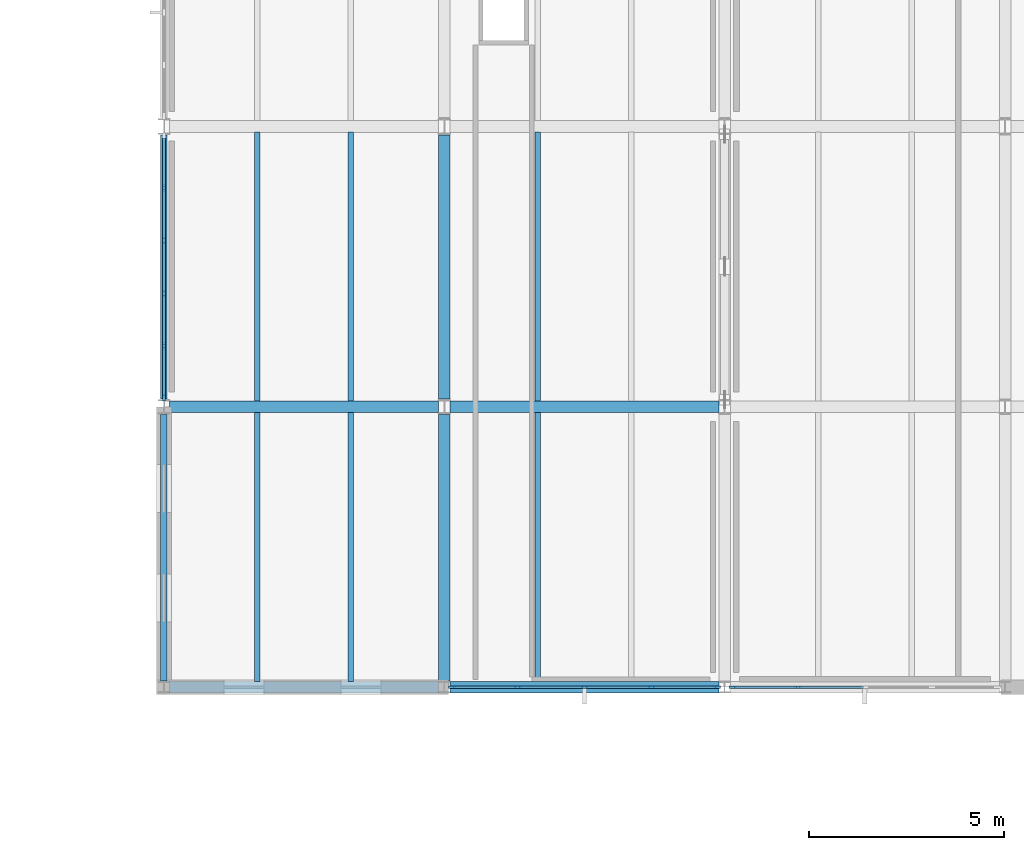
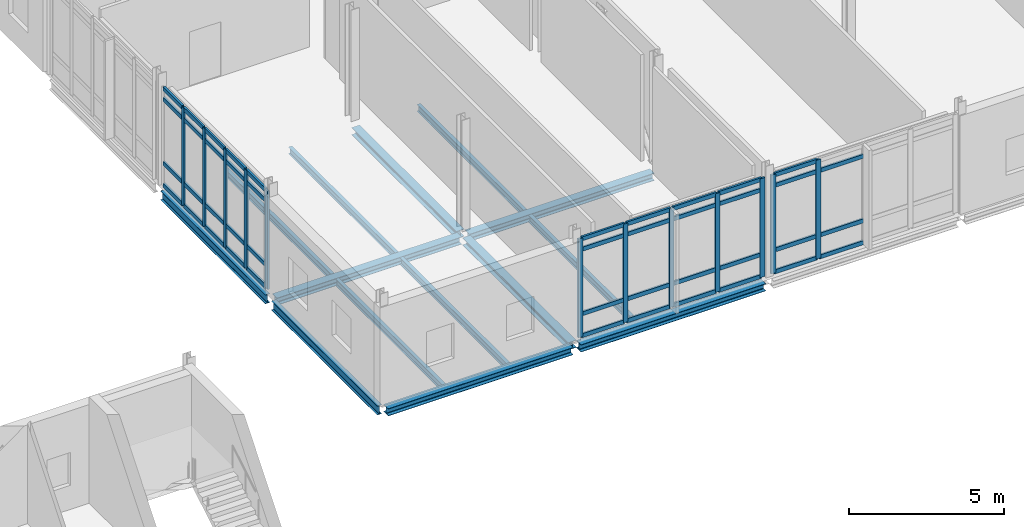
# One storey, part 28 of 72: 55 members, 14 beams, 3 elements without a shape of their own.
"""IFC4 building model written with IfcOpenShell, lengths in metres."""

from ifc_helpers import new_model, si_unit, direction, frame, origin, origin_2d, place, context, subcontext, project, spatial, rectangle, i_section, extrude, material, layer, layer_set, material_profile, profile_set, type_object, element, aggregate, save


model = new_model("IFC4")

# Units and contexts
model_context = context("Model", 3, precision=1e-05, world=origin(), true_north=direction((0.0, 1.0)))
body_context = subcontext(model_context, "Body", "Model", "MODEL_VIEW")
ifc_project = project(units=[si_unit("LENGTHUNIT", "METRE"), si_unit("AREAUNIT", "SQUARE_METRE"), si_unit("VOLUMEUNIT", "CUBIC_METRE"), si_unit("PLANEANGLEUNIT", "RADIAN"), si_unit("MASSUNIT", "GRAM", prefix="KILO")], contexts=[model_context])

# Site, building, storey
site_placement = place(None, origin())
site = spatial("IfcSite", under=ifc_project, at=site_placement, CompositionType="ELEMENT")
building_placement = place(site_placement, origin())
building = spatial("IfcBuilding", under=site, at=building_placement, Name="Zarrinpeak Specialist Clinic", CompositionType="ELEMENT")
storey_placement = place(building_placement, frame((0.0, 0.0, 9.60009765625)))
storey = spatial("IfcBuildingStorey", under=building, at=storey_placement, Name="L02", CompositionType="ELEMENT", Elevation=9.60009765625)

# Beams
ifc_material_1 = material(Name="Steel S355", Category="steel")
ifc_material_profile_1 = material_profile(ifc_material_1, i_section(OverallWidth=0.300048828125, OverallDepth=0.2900390625, WebThickness=0.008544921875, FlangeThickness=0.013916015625, FilletRadius=0.027099609375, at=origin_2d()), Name="HEA 300")
ifc_profile_set_1 = profile_set([ifc_material_profile_1], Name="Steel S355")
beam_type_1 = type_object("IfcBeamType", Name="BM-HEA300", PredefinedType="BEAM", material=ifc_profile_set_1)
for number, where, z_axis, x_axis, name in (
    (1, (36.14794921875, 82.0, -0.360107421875), (1.0, 0.0, 0.0), (0.0, 1.0, 0.0), "L02 Primary Floor Girder BM-L02-X1201"),
    (2, (43.347900390625, 82.0, -0.360107421875), (1.0, 0.0, 0.0), (0.0, 1.0, 0.0), "L02 Primary Floor Girder BM-L02-X1202"),
    (3, (36.14794921875, 89.199951171875, -0.360107421875), (1.0, 0.0, 0.0), (0.0, 1.0, 0.0), "L02 Primary Floor Girder BM-L02-X1205"),
    (4, (43.347900390625, 89.199951171875, -0.360107421875), (1.0, 0.0, 0.0), (0.0, 1.0, 0.0), "L02 Primary Floor Girder BM-L02-X1206"),
):
    element("IfcBeam", number, at=place(storey_placement, frame(where, z_axis=z_axis, x_axis=x_axis)), inside=storey, type_object=beam_type_1, Name=name, PredefinedType="BEAM", context=body_context, shape_type="SweptSolid", body=[
        extrude(i_section(OverallWidth=0.300048828125, OverallDepth=0.2900390625, WebThickness=0.008544921875, FlangeThickness=0.013916015625, FilletRadius=0.027099609375, at=origin_2d()), origin(), (0.0, 0.0, 1.0), 6.904052734375),
    ])
beam_1_placement = place(storey_placement, frame((43.199951171875, 82.157958984375, -0.360107421875), z_axis=(0.0, 1.0, 0.0), x_axis=(-1.0, 0.0, 0.0)))
element("IfcBeam", 5, at=beam_1_placement, inside=storey, type_object=beam_type_1, Name="L02 Primary Beam BM-L02-Y1285", PredefinedType="BEAM", context=body_context, shape_type="SweptSolid", body=[
    extrude(i_section(OverallWidth=0.300048828125, OverallDepth=0.2900390625, WebThickness=0.008544921875, FlangeThickness=0.013916015625, FilletRadius=0.027099609375, at=origin_2d()), origin(), (0.0, 0.0, 1.0), 6.843994140625),
])
beam_2_placement = place(storey_placement, frame((43.199951171875, 89.39794921875, -0.360107421875), z_axis=(0.0, 1.0, 0.0), x_axis=(-1.0, 0.0, 0.0)))
element("IfcBeam", 6, at=beam_2_placement, inside=storey, type_object=beam_type_1, Name="L02 Primary Beam BM-L02-Y1286", PredefinedType="BEAM", context=body_context, shape_type="SweptSolid", body=[
    extrude(i_section(OverallWidth=0.300048828125, OverallDepth=0.2900390625, WebThickness=0.008544921875, FlangeThickness=0.013916015625, FilletRadius=0.027099609375, at=origin_2d()), origin(), (0.0, 0.0, 1.0), 6.779052734375),
])
ifc_material_profile_2 = material_profile(ifc_material_1, i_section(OverallWidth=0.135009765625, OverallDepth=0.27001953125, WebThickness=0.006591796875, FlangeThickness=0.01025390625, FilletRadius=0.014892578125, at=origin_2d()), Name="IPE 270")
ifc_profile_set_2 = profile_set([ifc_material_profile_2], Name="Steel S355")
beam_type_2 = type_object("IfcBeamType", Name="BM-JST270", PredefinedType="JOIST", material=ifc_profile_set_2)
for number, where, z_axis, x_axis, name in (
    (7, (38.39990234375, 82.14794921875, -0.35009765625), (0.0, 1.0, 0.0), (-1.0, 0.0, 0.0), "L02 Composite Floor Joist JST-L02-1454"),
    (8, (40.800048828125, 82.14794921875, -0.35009765625), (0.0, 1.0, 0.0), (-1.0, 0.0, 0.0), "L02 Composite Floor Joist JST-L02-1455"),
    (9, (38.39990234375, 89.347900390625, -0.35009765625), (0.0, 1.0, 0.0), (-1.0, 0.0, 0.0), "L02 Composite Floor Joist JST-L02-1456"),
    (10, (40.800048828125, 89.347900390625, -0.35009765625), (0.0, 1.0, 0.0), (-1.0, 0.0, 0.0), "L02 Composite Floor Joist JST-L02-1457"),
    (11, (45.60009765625, 82.14794921875, -0.35009765625), (0.0, 1.0, 0.0), (-1.0, 0.0, 0.0), "L02 Composite Floor Joist JST-L02-1460"),
    (12, (45.60009765625, 89.347900390625, -0.35009765625), (0.0, 1.0, 0.0), (-1.0, 0.0, 0.0), "L02 Composite Floor Joist JST-L02-1462"),
):
    element("IfcBeam", number, at=place(storey_placement, frame(where, z_axis=z_axis, x_axis=x_axis)), inside=storey, type_object=beam_type_2, Name=name, PredefinedType="JOIST", context=body_context, shape_type="SweptSolid", body=[
        extrude(i_section(OverallWidth=0.135009765625, OverallDepth=0.27001953125, WebThickness=0.006591796875, FlangeThickness=0.01025390625, FilletRadius=0.014892578125, at=origin_2d()), origin(), (0.0, 0.0, 1.0), 6.904052734375),
    ])
ifc_material_profile_3 = material_profile(ifc_material_1, i_section(OverallWidth=0.169921875, OverallDepth=0.360107421875, WebThickness=0.008056640625, FlangeThickness=0.0126953125, FilletRadius=0.01806640625, at=origin_2d()), Name="IPE 360")
ifc_profile_set_3 = profile_set([ifc_material_profile_3], Name="Steel S355")
beam_type_3 = type_object("IfcBeamType", Name="BM-SP360", PredefinedType="SPANDREL", material=ifc_profile_set_3)
beam_3_placement = place(storey_placement, frame((36.0, 82.157958984375, -0.39501953125), z_axis=(0.0, 1.0, 0.0), x_axis=(-1.0, 0.0, 0.0)))
element("IfcBeam", 13, at=beam_3_placement, inside=storey, type_object=beam_type_3, Name="L02 Perimeter Spandrel Beam BM-L02-Y1279", PredefinedType="SPANDREL", context=body_context, shape_type="SweptSolid", body=[
    extrude(i_section(OverallWidth=0.169921875, OverallDepth=0.360107421875, WebThickness=0.008056640625, FlangeThickness=0.0126953125, FilletRadius=0.01806640625, at=origin_2d()), origin(), (0.0, 0.0, 1.0), 6.843994140625),
])
beam_4_placement = place(storey_placement, frame((36.0, 89.39794921875, -0.39501953125), z_axis=(0.0, 1.0, 0.0), x_axis=(-1.0, 0.0, 0.0)))
element("IfcBeam", 14, at=beam_4_placement, inside=storey, type_object=beam_type_3, Name="L02 Perimeter Spandrel Beam BM-L02-Y1280", PredefinedType="SPANDREL", context=body_context, shape_type="SweptSolid", body=[
    extrude(i_section(OverallWidth=0.169921875, OverallDepth=0.360107421875, WebThickness=0.008056640625, FlangeThickness=0.0126953125, FilletRadius=0.01806640625, at=origin_2d()), origin(), (0.0, 0.0, 1.0), 6.779052734375),
])

# Curtain wall, members
ifc_material_2 = material(Name="Anodised Aluminium Alloy 6063-T6", Category="aluminium")
ifc_layer_1 = layer(ifc_material_2, 0.179931640625)
ifc_layer_set_1 = layer_set([ifc_layer_1], Name="Anodised Aluminium Alloy 6063-T6")
curtain_wall_type_1 = type_object("IfcCurtainWallType", Name="CW-COURT", PredefinedType="NOTDEFINED", material=ifc_layer_set_1)
curtain_wall_1_placement = place(storey_placement, origin())
curtain_wall_1 = element("IfcCurtainWall", 15, at=curtain_wall_1_placement, inside=storey, type_object=curtain_wall_type_1, Name="L02 V6 Unitised Curtain Wall CW-L02-V6-141", PredefinedType="NOTDEFINED")
ifc_material_profile_4 = material_profile(ifc_material_2, rectangle(XDim=0.074951171875, YDim=0.179931640625, at=origin_2d()), Name="ALU 75x180")
ifc_profile_set_4 = profile_set([ifc_material_profile_4], Name="Anodised Aluminium Alloy 6063-T6")
member_type_1 = type_object("IfcMemberType", Name="CWM-75", PredefinedType="MULLION", material=ifc_profile_set_4)
member_1_placement = place(storey_placement, frame((43.402587890625, 82.0, 0.0), z_axis=(0.0, 0.0, 1.0), x_axis=(0.0, 1.0, 0.0)))
member_1 = element("IfcMember", 16, at=member_1_placement, type_object=member_type_1, Name="CW-01 mullion 1", PredefinedType="MULLION", context=body_context, shape_type="SweptSolid", body=[
    extrude(rectangle(XDim=0.074951171875, YDim=0.179931640625, at=origin_2d()), origin(), (0.0, 0.0, 1.0), 3.89990234375),
])
member_2_placement = place(storey_placement, frame((45.08251953125, 82.0, 0.0), z_axis=(0.0, 0.0, 1.0), x_axis=(0.0, 1.0, 0.0)))
member_2 = element("IfcMember", 17, at=member_2_placement, type_object=member_type_1, Name="CW-01 mullion 2", PredefinedType="MULLION", context=body_context, shape_type="SweptSolid", body=[
    extrude(rectangle(XDim=0.074951171875, YDim=0.179931640625, at=origin_2d()), origin(), (0.0, 0.0, 1.0), 3.89990234375),
])
member_3_placement = place(storey_placement, frame((46.800048828125, 82.0, 0.0), z_axis=(0.0, 0.0, 1.0), x_axis=(0.0, 1.0, 0.0)))
member_3 = element("IfcMember", 18, at=member_3_placement, type_object=member_type_1, Name="CW-01 mullion 3", PredefinedType="MULLION", context=body_context, shape_type="SweptSolid", body=[
    extrude(rectangle(XDim=0.074951171875, YDim=0.179931640625, at=origin_2d()), origin(), (0.0, 0.0, 1.0), 3.89990234375),
])
member_4_placement = place(storey_placement, frame((48.517578125, 82.0, 0.0), z_axis=(0.0, 0.0, 1.0), x_axis=(0.0, 1.0, 0.0)))
member_4 = element("IfcMember", 19, at=member_4_placement, type_object=member_type_1, Name="CW-01 mullion 4", PredefinedType="MULLION", context=body_context, shape_type="SweptSolid", body=[
    extrude(rectangle(XDim=0.074951171875, YDim=0.179931640625, at=origin_2d()), origin(), (0.0, 0.0, 1.0), 3.89990234375),
])
member_5_placement = place(storey_placement, frame((50.197509765625, 82.0, 0.0), z_axis=(0.0, 0.0, 1.0), x_axis=(0.0, 1.0, 0.0)))
member_5 = element("IfcMember", 20, at=member_5_placement, type_object=member_type_1, Name="CW-01 mullion 5", PredefinedType="MULLION", context=body_context, shape_type="SweptSolid", body=[
    extrude(rectangle(XDim=0.074951171875, YDim=0.179931640625, at=origin_2d()), origin(), (0.0, 0.0, 1.0), 3.89990234375),
])

curtain_wall_2_placement = place(storey_placement, origin())
curtain_wall_2 = element("IfcCurtainWall", 21, at=curtain_wall_2_placement, inside=storey, type_object=curtain_wall_type_1, Name="L02 V6 Unitised Curtain Wall CW-L02-V6-142", PredefinedType="NOTDEFINED")
member_6_placement = place(storey_placement, frame((50.6025390625, 82.0, 0.0), z_axis=(0.0, 0.0, 1.0), x_axis=(0.0, 1.0, 0.0)))
member_6 = element("IfcMember", 22, at=member_6_placement, type_object=member_type_1, Name="CW-01 mullion 1", PredefinedType="MULLION", context=body_context, shape_type="SweptSolid", body=[
    extrude(rectangle(XDim=0.074951171875, YDim=0.179931640625, at=origin_2d()), origin(), (0.0, 0.0, 1.0), 3.89990234375),
])
member_7_placement = place(storey_placement, frame((52.282470703125, 82.0, 0.0), z_axis=(0.0, 0.0, 1.0), x_axis=(0.0, 1.0, 0.0)))
member_7 = element("IfcMember", 23, at=member_7_placement, type_object=member_type_1, Name="CW-01 mullion 2", PredefinedType="MULLION", context=body_context, shape_type="SweptSolid", body=[
    extrude(rectangle(XDim=0.074951171875, YDim=0.179931640625, at=origin_2d()), origin(), (0.0, 0.0, 1.0), 3.89990234375),
])

ifc_layer_2 = layer(ifc_material_2, 0.1650390625)
ifc_layer_set_2 = layer_set([ifc_layer_2], Name="Anodised Aluminium Alloy 6063-T6")
curtain_wall_type_2 = type_object("IfcCurtainWallType", Name="CW-CLINIC", PredefinedType="NOTDEFINED", material=ifc_layer_set_2)
curtain_wall_3_placement = place(storey_placement, origin())
curtain_wall_3 = element("IfcCurtainWall", 24, at=curtain_wall_3_placement, inside=storey, type_object=curtain_wall_type_2, Name="L02 V6 Unitised Curtain Wall CW-L02-V6-143", PredefinedType="NOTDEFINED")
member_8_placement = place(storey_placement, frame((36.0, 94.821044921875, 0.0), z_axis=(0.0, 0.0, 1.0), x_axis=(1.0, 0.0, 0.0)))
member_8 = element("IfcMember", 25, at=member_8_placement, type_object=member_type_1, Name="CW-03 mullion 2", PredefinedType="MULLION", context=body_context, shape_type="SweptSolid", body=[
    extrude(rectangle(XDim=0.074951171875, YDim=0.179931640625, at=origin_2d()), origin(), (0.0, 0.0, 1.0), 3.885009765625),
])
member_9_placement = place(storey_placement, frame((36.0, 93.467041015625, 0.0), z_axis=(0.0, 0.0, 1.0), x_axis=(1.0, 0.0, 0.0)))
member_9 = element("IfcMember", 26, at=member_9_placement, type_object=member_type_1, Name="CW-03 mullion 3", PredefinedType="MULLION", context=body_context, shape_type="SweptSolid", body=[
    extrude(rectangle(XDim=0.074951171875, YDim=0.179931640625, at=origin_2d()), origin(), (0.0, 0.0, 1.0), 3.885009765625),
])
member_10_placement = place(storey_placement, frame((36.0, 92.113037109375, 0.0), z_axis=(0.0, 0.0, 1.0), x_axis=(1.0, 0.0, 0.0)))
member_10 = element("IfcMember", 27, at=member_10_placement, type_object=member_type_1, Name="CW-03 mullion 4", PredefinedType="MULLION", context=body_context, shape_type="SweptSolid", body=[
    extrude(rectangle(XDim=0.074951171875, YDim=0.179931640625, at=origin_2d()), origin(), (0.0, 0.0, 1.0), 3.885009765625),
])
member_11_placement = place(storey_placement, frame((36.0, 90.759033203125, 0.0), z_axis=(0.0, 0.0, 1.0), x_axis=(1.0, 0.0, 0.0)))
member_11 = element("IfcMember", 28, at=member_11_placement, type_object=member_type_1, Name="CW-03 mullion 5", PredefinedType="MULLION", context=body_context, shape_type="SweptSolid", body=[
    extrude(rectangle(XDim=0.074951171875, YDim=0.179931640625, at=origin_2d()), origin(), (0.0, 0.0, 1.0), 3.885009765625),
])
member_12_placement = place(storey_placement, frame((36.0, 89.4423828125, 0.0), z_axis=(0.0, 0.0, 1.0), x_axis=(1.0, 0.0, 0.0)))
member_12 = element("IfcMember", 29, at=member_12_placement, type_object=member_type_1, Name="CW-03 mullion 6", PredefinedType="MULLION", context=body_context, shape_type="SweptSolid", body=[
    extrude(rectangle(XDim=0.074951171875, YDim=0.179931640625, at=origin_2d()), origin(), (0.0, 0.0, 1.0), 3.885009765625),
])

# Member
ifc_material_profile_5 = material_profile(ifc_material_2, rectangle(XDim=0.074951171875, YDim=0.159912109375, at=origin_2d()), Name="ALU 75x160")
ifc_profile_set_5 = profile_set([ifc_material_profile_5], Name="Anodised Aluminium Alloy 6063-T6")
member_type_2 = type_object("IfcMemberType", Name="CWT-75", PredefinedType="USERDEFINED", material=ifc_profile_set_5)
member_13_placement = place(storey_placement, frame((43.43994140625, 82.0, 0.037353515625), z_axis=(1.0, 0.0, 0.0), x_axis=(0.0, 1.0, 0.0)))
member_13 = element("IfcMember", 30, at=member_13_placement, type_object=member_type_2, Name="CW-01 transom 1.1", ObjectType="TRANSOM", PredefinedType="USERDEFINED", context=body_context, shape_type="SweptSolid", body=[
    extrude(rectangle(XDim=0.074951171875, YDim=0.159912109375, at=origin_2d()), origin(), (0.0, 0.0, 1.0), 1.60498046875),
])

member_14_placement = place(storey_placement, frame((43.43994140625, 82.0, 0.89990234375), z_axis=(1.0, 0.0, 0.0), x_axis=(0.0, 1.0, 0.0)))
member_14 = element("IfcMember", 31, at=member_14_placement, type_object=member_type_2, Name="CW-01 transom 1.2", ObjectType="TRANSOM", PredefinedType="USERDEFINED", context=body_context, shape_type="SweptSolid", body=[
    extrude(rectangle(XDim=0.074951171875, YDim=0.159912109375, at=origin_2d()), origin(), (0.0, 0.0, 1.0), 1.60498046875),
])

member_15_placement = place(storey_placement, frame((43.43994140625, 82.0, 3.449951171875), z_axis=(1.0, 0.0, 0.0), x_axis=(0.0, 1.0, 0.0)))
member_15 = element("IfcMember", 32, at=member_15_placement, type_object=member_type_2, Name="CW-01 transom 1.3", ObjectType="TRANSOM", PredefinedType="USERDEFINED", context=body_context, shape_type="SweptSolid", body=[
    extrude(rectangle(XDim=0.074951171875, YDim=0.159912109375, at=origin_2d()), origin(), (0.0, 0.0, 1.0), 1.60498046875),
])

member_16_placement = place(storey_placement, frame((43.43994140625, 82.0, 3.8623046875), z_axis=(1.0, 0.0, 0.0), x_axis=(0.0, 1.0, 0.0)))
member_16 = element("IfcMember", 33, at=member_16_placement, type_object=member_type_2, Name="CW-01 transom 1.4", ObjectType="TRANSOM", PredefinedType="USERDEFINED", context=body_context, shape_type="SweptSolid", body=[
    extrude(rectangle(XDim=0.074951171875, YDim=0.159912109375, at=origin_2d()), origin(), (0.0, 0.0, 1.0), 1.60498046875),
])

member_17_placement = place(storey_placement, frame((45.1201171875, 82.0, 0.037353515625), z_axis=(1.0, 0.0, 0.0), x_axis=(0.0, 1.0, 0.0)))
member_17 = element("IfcMember", 34, at=member_17_placement, type_object=member_type_2, Name="CW-01 transom 2.1", ObjectType="TRANSOM", PredefinedType="USERDEFINED", context=body_context, shape_type="SweptSolid", body=[
    extrude(rectangle(XDim=0.074951171875, YDim=0.159912109375, at=origin_2d()), origin(), (0.0, 0.0, 1.0), 1.642333984375),
])

member_18_placement = place(storey_placement, frame((45.1201171875, 82.0, 0.89990234375), z_axis=(1.0, 0.0, 0.0), x_axis=(0.0, 1.0, 0.0)))
member_18 = element("IfcMember", 35, at=member_18_placement, type_object=member_type_2, Name="CW-01 transom 2.2", ObjectType="TRANSOM", PredefinedType="USERDEFINED", context=body_context, shape_type="SweptSolid", body=[
    extrude(rectangle(XDim=0.074951171875, YDim=0.159912109375, at=origin_2d()), origin(), (0.0, 0.0, 1.0), 1.642333984375),
])

member_19_placement = place(storey_placement, frame((45.1201171875, 82.0, 3.449951171875), z_axis=(1.0, 0.0, 0.0), x_axis=(0.0, 1.0, 0.0)))
member_19 = element("IfcMember", 36, at=member_19_placement, type_object=member_type_2, Name="CW-01 transom 2.3", ObjectType="TRANSOM", PredefinedType="USERDEFINED", context=body_context, shape_type="SweptSolid", body=[
    extrude(rectangle(XDim=0.074951171875, YDim=0.159912109375, at=origin_2d()), origin(), (0.0, 0.0, 1.0), 1.642333984375),
])

member_20_placement = place(storey_placement, frame((45.1201171875, 82.0, 3.8623046875), z_axis=(1.0, 0.0, 0.0), x_axis=(0.0, 1.0, 0.0)))
member_20 = element("IfcMember", 37, at=member_20_placement, type_object=member_type_2, Name="CW-01 transom 2.4", ObjectType="TRANSOM", PredefinedType="USERDEFINED", context=body_context, shape_type="SweptSolid", body=[
    extrude(rectangle(XDim=0.074951171875, YDim=0.159912109375, at=origin_2d()), origin(), (0.0, 0.0, 1.0), 1.642333984375),
])

member_21_placement = place(storey_placement, frame((46.83740234375, 82.0, 0.037353515625), z_axis=(1.0, 0.0, 0.0), x_axis=(0.0, 1.0, 0.0)))
member_21 = element("IfcMember", 38, at=member_21_placement, type_object=member_type_2, Name="CW-01 transom 3.1", ObjectType="TRANSOM", PredefinedType="USERDEFINED", context=body_context, shape_type="SweptSolid", body=[
    extrude(rectangle(XDim=0.074951171875, YDim=0.159912109375, at=origin_2d()), origin(), (0.0, 0.0, 1.0), 1.642578125),
])

member_22_placement = place(storey_placement, frame((46.83740234375, 82.0, 0.89990234375), z_axis=(1.0, 0.0, 0.0), x_axis=(0.0, 1.0, 0.0)))
member_22 = element("IfcMember", 39, at=member_22_placement, type_object=member_type_2, Name="CW-01 transom 3.2", ObjectType="TRANSOM", PredefinedType="USERDEFINED", context=body_context, shape_type="SweptSolid", body=[
    extrude(rectangle(XDim=0.074951171875, YDim=0.159912109375, at=origin_2d()), origin(), (0.0, 0.0, 1.0), 1.642578125),
])

member_23_placement = place(storey_placement, frame((46.83740234375, 82.0, 3.449951171875), z_axis=(1.0, 0.0, 0.0), x_axis=(0.0, 1.0, 0.0)))
member_23 = element("IfcMember", 40, at=member_23_placement, type_object=member_type_2, Name="CW-01 transom 3.3", ObjectType="TRANSOM", PredefinedType="USERDEFINED", context=body_context, shape_type="SweptSolid", body=[
    extrude(rectangle(XDim=0.074951171875, YDim=0.159912109375, at=origin_2d()), origin(), (0.0, 0.0, 1.0), 1.642578125),
])

member_24_placement = place(storey_placement, frame((46.83740234375, 82.0, 3.8623046875), z_axis=(1.0, 0.0, 0.0), x_axis=(0.0, 1.0, 0.0)))
member_24 = element("IfcMember", 41, at=member_24_placement, type_object=member_type_2, Name="CW-01 transom 3.4", ObjectType="TRANSOM", PredefinedType="USERDEFINED", context=body_context, shape_type="SweptSolid", body=[
    extrude(rectangle(XDim=0.074951171875, YDim=0.159912109375, at=origin_2d()), origin(), (0.0, 0.0, 1.0), 1.642578125),
])

member_25_placement = place(storey_placement, frame((48.554931640625, 82.0, 0.037353515625), z_axis=(1.0, 0.0, 0.0), x_axis=(0.0, 1.0, 0.0)))
member_25 = element("IfcMember", 42, at=member_25_placement, type_object=member_type_2, Name="CW-01 transom 4.1", ObjectType="TRANSOM", PredefinedType="USERDEFINED", context=body_context, shape_type="SweptSolid", body=[
    extrude(rectangle(XDim=0.074951171875, YDim=0.159912109375, at=origin_2d()), origin(), (0.0, 0.0, 1.0), 1.60498046875),
])

member_26_placement = place(storey_placement, frame((48.554931640625, 82.0, 0.89990234375), z_axis=(1.0, 0.0, 0.0), x_axis=(0.0, 1.0, 0.0)))
member_26 = element("IfcMember", 43, at=member_26_placement, type_object=member_type_2, Name="CW-01 transom 4.2", ObjectType="TRANSOM", PredefinedType="USERDEFINED", context=body_context, shape_type="SweptSolid", body=[
    extrude(rectangle(XDim=0.074951171875, YDim=0.159912109375, at=origin_2d()), origin(), (0.0, 0.0, 1.0), 1.60498046875),
])

member_27_placement = place(storey_placement, frame((48.554931640625, 82.0, 3.449951171875), z_axis=(1.0, 0.0, 0.0), x_axis=(0.0, 1.0, 0.0)))
member_27 = element("IfcMember", 44, at=member_27_placement, type_object=member_type_2, Name="CW-01 transom 4.3", ObjectType="TRANSOM", PredefinedType="USERDEFINED", context=body_context, shape_type="SweptSolid", body=[
    extrude(rectangle(XDim=0.074951171875, YDim=0.159912109375, at=origin_2d()), origin(), (0.0, 0.0, 1.0), 1.60498046875),
])

member_28_placement = place(storey_placement, frame((48.554931640625, 82.0, 3.8623046875), z_axis=(1.0, 0.0, 0.0), x_axis=(0.0, 1.0, 0.0)))
member_28 = element("IfcMember", 45, at=member_28_placement, type_object=member_type_2, Name="CW-01 transom 4.4", ObjectType="TRANSOM", PredefinedType="USERDEFINED", context=body_context, shape_type="SweptSolid", body=[
    extrude(rectangle(XDim=0.074951171875, YDim=0.159912109375, at=origin_2d()), origin(), (0.0, 0.0, 1.0), 1.60498046875),
])

aggregate(curtain_wall_1, [member_1, member_2, member_3, member_4, member_5, member_13, member_14, member_15, member_16, member_17, member_18, member_19, member_20, member_21, member_22, member_23, member_24, member_25, member_26, member_27, member_28])

member_29_placement = place(storey_placement, frame((50.639892578125, 82.0, 0.037353515625), z_axis=(1.0, 0.0, 0.0), x_axis=(0.0, 1.0, 0.0)))
member_29 = element("IfcMember", 46, at=member_29_placement, type_object=member_type_2, Name="CW-01 transom 1.1", ObjectType="TRANSOM", PredefinedType="USERDEFINED", context=body_context, shape_type="SweptSolid", body=[
    extrude(rectangle(XDim=0.074951171875, YDim=0.159912109375, at=origin_2d()), origin(), (0.0, 0.0, 1.0), 1.605224609375),
])

member_30_placement = place(storey_placement, frame((50.639892578125, 82.0, 0.89990234375), z_axis=(1.0, 0.0, 0.0), x_axis=(0.0, 1.0, 0.0)))
member_30 = element("IfcMember", 47, at=member_30_placement, type_object=member_type_2, Name="CW-01 transom 1.2", ObjectType="TRANSOM", PredefinedType="USERDEFINED", context=body_context, shape_type="SweptSolid", body=[
    extrude(rectangle(XDim=0.074951171875, YDim=0.159912109375, at=origin_2d()), origin(), (0.0, 0.0, 1.0), 1.605224609375),
])

member_31_placement = place(storey_placement, frame((50.639892578125, 82.0, 3.449951171875), z_axis=(1.0, 0.0, 0.0), x_axis=(0.0, 1.0, 0.0)))
member_31 = element("IfcMember", 48, at=member_31_placement, type_object=member_type_2, Name="CW-01 transom 1.3", ObjectType="TRANSOM", PredefinedType="USERDEFINED", context=body_context, shape_type="SweptSolid", body=[
    extrude(rectangle(XDim=0.074951171875, YDim=0.159912109375, at=origin_2d()), origin(), (0.0, 0.0, 1.0), 1.605224609375),
])

member_32_placement = place(storey_placement, frame((50.639892578125, 82.0, 3.8623046875), z_axis=(1.0, 0.0, 0.0), x_axis=(0.0, 1.0, 0.0)))
member_32 = element("IfcMember", 49, at=member_32_placement, type_object=member_type_2, Name="CW-01 transom 1.4", ObjectType="TRANSOM", PredefinedType="USERDEFINED", context=body_context, shape_type="SweptSolid", body=[
    extrude(rectangle(XDim=0.074951171875, YDim=0.159912109375, at=origin_2d()), origin(), (0.0, 0.0, 1.0), 1.605224609375),
])

member_33_placement = place(storey_placement, frame((52.320068359375, 82.0, 0.037353515625), z_axis=(1.0, 0.0, 0.0), x_axis=(0.0, 1.0, 0.0)))
member_33 = element("IfcMember", 50, at=member_33_placement, type_object=member_type_2, Name="CW-01 transom 2.1", ObjectType="TRANSOM", PredefinedType="USERDEFINED", context=body_context, shape_type="SweptSolid", body=[
    extrude(rectangle(XDim=0.074951171875, YDim=0.159912109375, at=origin_2d()), origin(), (0.0, 0.0, 1.0), 1.642333984375),
])

member_34_placement = place(storey_placement, frame((52.320068359375, 82.0, 0.89990234375), z_axis=(1.0, 0.0, 0.0), x_axis=(0.0, 1.0, 0.0)))
member_34 = element("IfcMember", 51, at=member_34_placement, type_object=member_type_2, Name="CW-01 transom 2.2", ObjectType="TRANSOM", PredefinedType="USERDEFINED", context=body_context, shape_type="SweptSolid", body=[
    extrude(rectangle(XDim=0.074951171875, YDim=0.159912109375, at=origin_2d()), origin(), (0.0, 0.0, 1.0), 1.642333984375),
])

member_35_placement = place(storey_placement, frame((52.320068359375, 82.0, 3.449951171875), z_axis=(1.0, 0.0, 0.0), x_axis=(0.0, 1.0, 0.0)))
member_35 = element("IfcMember", 52, at=member_35_placement, type_object=member_type_2, Name="CW-01 transom 2.3", ObjectType="TRANSOM", PredefinedType="USERDEFINED", context=body_context, shape_type="SweptSolid", body=[
    extrude(rectangle(XDim=0.074951171875, YDim=0.159912109375, at=origin_2d()), origin(), (0.0, 0.0, 1.0), 1.642333984375),
])

aggregate(curtain_wall_2, [member_6, member_7, member_29, member_30, member_31, member_32, member_33, member_34, member_35])

member_36_placement = place(storey_placement, frame((36.0, 96.10009765625, 0.037353515625), z_axis=(0.0, -1.0, 0.0), x_axis=(1.0, 0.0, 0.0)))
member_36 = element("IfcMember", 53, at=member_36_placement, type_object=member_type_2, Name="CW-03 transom 1.1", ObjectType="TRANSOM", PredefinedType="USERDEFINED", context=body_context, shape_type="SweptSolid", body=[
    extrude(rectangle(XDim=0.074951171875, YDim=0.159912109375, at=origin_2d()), origin(), (0.0, 0.0, 1.0), 1.24169921875),
])

member_37_placement = place(storey_placement, frame((36.0, 96.10009765625, 0.89990234375), z_axis=(0.0, -1.0, 0.0), x_axis=(1.0, 0.0, 0.0)))
member_37 = element("IfcMember", 54, at=member_37_placement, type_object=member_type_2, Name="CW-03 transom 1.2", ObjectType="TRANSOM", PredefinedType="USERDEFINED", context=body_context, shape_type="SweptSolid", body=[
    extrude(rectangle(XDim=0.074951171875, YDim=0.159912109375, at=origin_2d()), origin(), (0.0, 0.0, 1.0), 1.24169921875),
])

member_38_placement = place(storey_placement, frame((36.0, 96.10009765625, 3.434814453125), z_axis=(0.0, -1.0, 0.0), x_axis=(1.0, 0.0, 0.0)))
member_38 = element("IfcMember", 55, at=member_38_placement, type_object=member_type_2, Name="CW-03 transom 1.3", ObjectType="TRANSOM", PredefinedType="USERDEFINED", context=body_context, shape_type="SweptSolid", body=[
    extrude(rectangle(XDim=0.074951171875, YDim=0.159912109375, at=origin_2d()), origin(), (0.0, 0.0, 1.0), 1.24169921875),
])

member_39_placement = place(storey_placement, frame((36.0, 96.10009765625, 3.847412109375), z_axis=(0.0, -1.0, 0.0), x_axis=(1.0, 0.0, 0.0)))
member_39 = element("IfcMember", 56, at=member_39_placement, type_object=member_type_2, Name="CW-03 transom 1.4", ObjectType="TRANSOM", PredefinedType="USERDEFINED", context=body_context, shape_type="SweptSolid", body=[
    extrude(rectangle(XDim=0.074951171875, YDim=0.159912109375, at=origin_2d()), origin(), (0.0, 0.0, 1.0), 1.24169921875),
])

member_40_placement = place(storey_placement, frame((36.0, 94.783447265625, 0.037353515625), z_axis=(0.0, -1.0, 0.0), x_axis=(1.0, 0.0, 0.0)))
member_40 = element("IfcMember", 57, at=member_40_placement, type_object=member_type_2, Name="CW-03 transom 2.1", ObjectType="TRANSOM", PredefinedType="USERDEFINED", context=body_context, shape_type="SweptSolid", body=[
    extrude(rectangle(XDim=0.074951171875, YDim=0.159912109375, at=origin_2d()), origin(), (0.0, 0.0, 1.0), 1.279052734375),
])

member_41_placement = place(storey_placement, frame((36.0, 94.783447265625, 0.89990234375), z_axis=(0.0, -1.0, 0.0), x_axis=(1.0, 0.0, 0.0)))
member_41 = element("IfcMember", 58, at=member_41_placement, type_object=member_type_2, Name="CW-03 transom 2.2", ObjectType="TRANSOM", PredefinedType="USERDEFINED", context=body_context, shape_type="SweptSolid", body=[
    extrude(rectangle(XDim=0.074951171875, YDim=0.159912109375, at=origin_2d()), origin(), (0.0, 0.0, 1.0), 1.279052734375),
])

member_42_placement = place(storey_placement, frame((36.0, 94.783447265625, 3.434814453125), z_axis=(0.0, -1.0, 0.0), x_axis=(1.0, 0.0, 0.0)))
member_42 = element("IfcMember", 59, at=member_42_placement, type_object=member_type_2, Name="CW-03 transom 2.3", ObjectType="TRANSOM", PredefinedType="USERDEFINED", context=body_context, shape_type="SweptSolid", body=[
    extrude(rectangle(XDim=0.074951171875, YDim=0.159912109375, at=origin_2d()), origin(), (0.0, 0.0, 1.0), 1.279052734375),
])

member_43_placement = place(storey_placement, frame((36.0, 94.783447265625, 3.847412109375), z_axis=(0.0, -1.0, 0.0), x_axis=(1.0, 0.0, 0.0)))
member_43 = element("IfcMember", 60, at=member_43_placement, type_object=member_type_2, Name="CW-03 transom 2.4", ObjectType="TRANSOM", PredefinedType="USERDEFINED", context=body_context, shape_type="SweptSolid", body=[
    extrude(rectangle(XDim=0.074951171875, YDim=0.159912109375, at=origin_2d()), origin(), (0.0, 0.0, 1.0), 1.279052734375),
])

member_44_placement = place(storey_placement, frame((36.0, 93.429443359375, 0.037353515625), z_axis=(0.0, -1.0, 0.0), x_axis=(1.0, 0.0, 0.0)))
member_44 = element("IfcMember", 61, at=member_44_placement, type_object=member_type_2, Name="CW-03 transom 3.1", ObjectType="TRANSOM", PredefinedType="USERDEFINED", context=body_context, shape_type="SweptSolid", body=[
    extrude(rectangle(XDim=0.074951171875, YDim=0.159912109375, at=origin_2d()), origin(), (0.0, 0.0, 1.0), 1.279052734375),
])

member_45_placement = place(storey_placement, frame((36.0, 93.429443359375, 0.89990234375), z_axis=(0.0, -1.0, 0.0), x_axis=(1.0, 0.0, 0.0)))
member_45 = element("IfcMember", 62, at=member_45_placement, type_object=member_type_2, Name="CW-03 transom 3.2", ObjectType="TRANSOM", PredefinedType="USERDEFINED", context=body_context, shape_type="SweptSolid", body=[
    extrude(rectangle(XDim=0.074951171875, YDim=0.159912109375, at=origin_2d()), origin(), (0.0, 0.0, 1.0), 1.279052734375),
])

member_46_placement = place(storey_placement, frame((36.0, 93.429443359375, 3.434814453125), z_axis=(0.0, -1.0, 0.0), x_axis=(1.0, 0.0, 0.0)))
member_46 = element("IfcMember", 63, at=member_46_placement, type_object=member_type_2, Name="CW-03 transom 3.3", ObjectType="TRANSOM", PredefinedType="USERDEFINED", context=body_context, shape_type="SweptSolid", body=[
    extrude(rectangle(XDim=0.074951171875, YDim=0.159912109375, at=origin_2d()), origin(), (0.0, 0.0, 1.0), 1.279052734375),
])

member_47_placement = place(storey_placement, frame((36.0, 93.429443359375, 3.847412109375), z_axis=(0.0, -1.0, 0.0), x_axis=(1.0, 0.0, 0.0)))
member_47 = element("IfcMember", 64, at=member_47_placement, type_object=member_type_2, Name="CW-03 transom 3.4", ObjectType="TRANSOM", PredefinedType="USERDEFINED", context=body_context, shape_type="SweptSolid", body=[
    extrude(rectangle(XDim=0.074951171875, YDim=0.159912109375, at=origin_2d()), origin(), (0.0, 0.0, 1.0), 1.279052734375),
])

member_48_placement = place(storey_placement, frame((36.0, 92.075439453125, 0.037353515625), z_axis=(0.0, -1.0, 0.0), x_axis=(1.0, 0.0, 0.0)))
member_48 = element("IfcMember", 65, at=member_48_placement, type_object=member_type_2, Name="CW-03 transom 4.1", ObjectType="TRANSOM", PredefinedType="USERDEFINED", context=body_context, shape_type="SweptSolid", body=[
    extrude(rectangle(XDim=0.074951171875, YDim=0.159912109375, at=origin_2d()), origin(), (0.0, 0.0, 1.0), 1.279052734375),
])

member_49_placement = place(storey_placement, frame((36.0, 92.075439453125, 0.89990234375), z_axis=(0.0, -1.0, 0.0), x_axis=(1.0, 0.0, 0.0)))
member_49 = element("IfcMember", 66, at=member_49_placement, type_object=member_type_2, Name="CW-03 transom 4.2", ObjectType="TRANSOM", PredefinedType="USERDEFINED", context=body_context, shape_type="SweptSolid", body=[
    extrude(rectangle(XDim=0.074951171875, YDim=0.159912109375, at=origin_2d()), origin(), (0.0, 0.0, 1.0), 1.279052734375),
])

member_50_placement = place(storey_placement, frame((36.0, 92.075439453125, 3.434814453125), z_axis=(0.0, -1.0, 0.0), x_axis=(1.0, 0.0, 0.0)))
member_50 = element("IfcMember", 67, at=member_50_placement, type_object=member_type_2, Name="CW-03 transom 4.3", ObjectType="TRANSOM", PredefinedType="USERDEFINED", context=body_context, shape_type="SweptSolid", body=[
    extrude(rectangle(XDim=0.074951171875, YDim=0.159912109375, at=origin_2d()), origin(), (0.0, 0.0, 1.0), 1.279052734375),
])

member_51_placement = place(storey_placement, frame((36.0, 92.075439453125, 3.847412109375), z_axis=(0.0, -1.0, 0.0), x_axis=(1.0, 0.0, 0.0)))
member_51 = element("IfcMember", 68, at=member_51_placement, type_object=member_type_2, Name="CW-03 transom 4.4", ObjectType="TRANSOM", PredefinedType="USERDEFINED", context=body_context, shape_type="SweptSolid", body=[
    extrude(rectangle(XDim=0.074951171875, YDim=0.159912109375, at=origin_2d()), origin(), (0.0, 0.0, 1.0), 1.279052734375),
])

member_52_placement = place(storey_placement, frame((36.0, 90.721435546875, 0.037353515625), z_axis=(0.0, -1.0, 0.0), x_axis=(1.0, 0.0, 0.0)))
member_52 = element("IfcMember", 69, at=member_52_placement, type_object=member_type_2, Name="CW-03 transom 5.1", ObjectType="TRANSOM", PredefinedType="USERDEFINED", context=body_context, shape_type="SweptSolid", body=[
    extrude(rectangle(XDim=0.074951171875, YDim=0.159912109375, at=origin_2d()), origin(), (0.0, 0.0, 1.0), 1.241455078125),
])

member_53_placement = place(storey_placement, frame((36.0, 90.721435546875, 0.89990234375), z_axis=(0.0, -1.0, 0.0), x_axis=(1.0, 0.0, 0.0)))
member_53 = element("IfcMember", 70, at=member_53_placement, type_object=member_type_2, Name="CW-03 transom 5.2", ObjectType="TRANSOM", PredefinedType="USERDEFINED", context=body_context, shape_type="SweptSolid", body=[
    extrude(rectangle(XDim=0.074951171875, YDim=0.159912109375, at=origin_2d()), origin(), (0.0, 0.0, 1.0), 1.241455078125),
])

member_54_placement = place(storey_placement, frame((36.0, 90.721435546875, 3.434814453125), z_axis=(0.0, -1.0, 0.0), x_axis=(1.0, 0.0, 0.0)))
member_54 = element("IfcMember", 71, at=member_54_placement, type_object=member_type_2, Name="CW-03 transom 5.3", ObjectType="TRANSOM", PredefinedType="USERDEFINED", context=body_context, shape_type="SweptSolid", body=[
    extrude(rectangle(XDim=0.074951171875, YDim=0.159912109375, at=origin_2d()), origin(), (0.0, 0.0, 1.0), 1.241455078125),
])

member_55_placement = place(storey_placement, frame((36.0, 90.721435546875, 3.847412109375), z_axis=(0.0, -1.0, 0.0), x_axis=(1.0, 0.0, 0.0)))
member_55 = element("IfcMember", 72, at=member_55_placement, type_object=member_type_2, Name="CW-03 transom 5.4", ObjectType="TRANSOM", PredefinedType="USERDEFINED", context=body_context, shape_type="SweptSolid", body=[
    extrude(rectangle(XDim=0.074951171875, YDim=0.159912109375, at=origin_2d()), origin(), (0.0, 0.0, 1.0), 1.241455078125),
])

aggregate(curtain_wall_3, [member_8, member_9, member_10, member_11, member_12, member_36, member_37, member_38, member_39, member_40, member_41, member_42, member_43, member_44, member_45, member_46, member_47, member_48, member_49, member_50, member_51, member_52, member_53, member_54, member_55])

save(model, "model.ifc")
